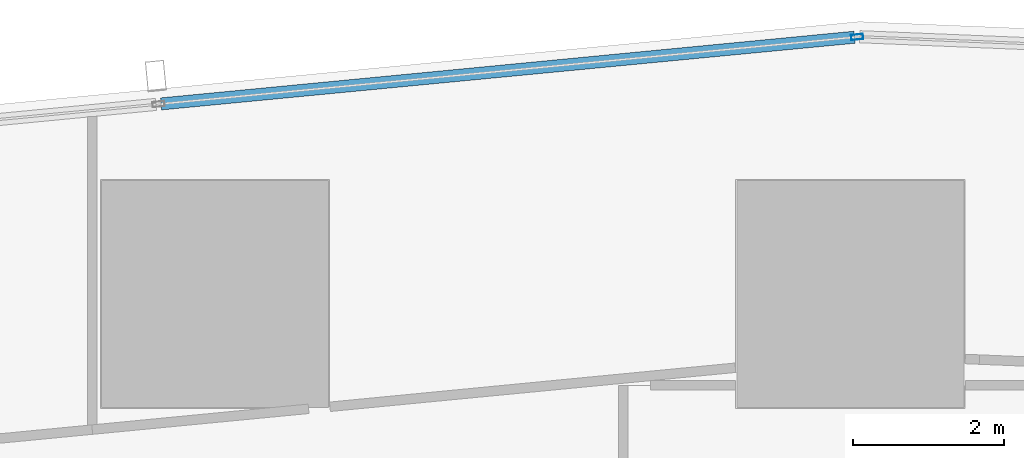
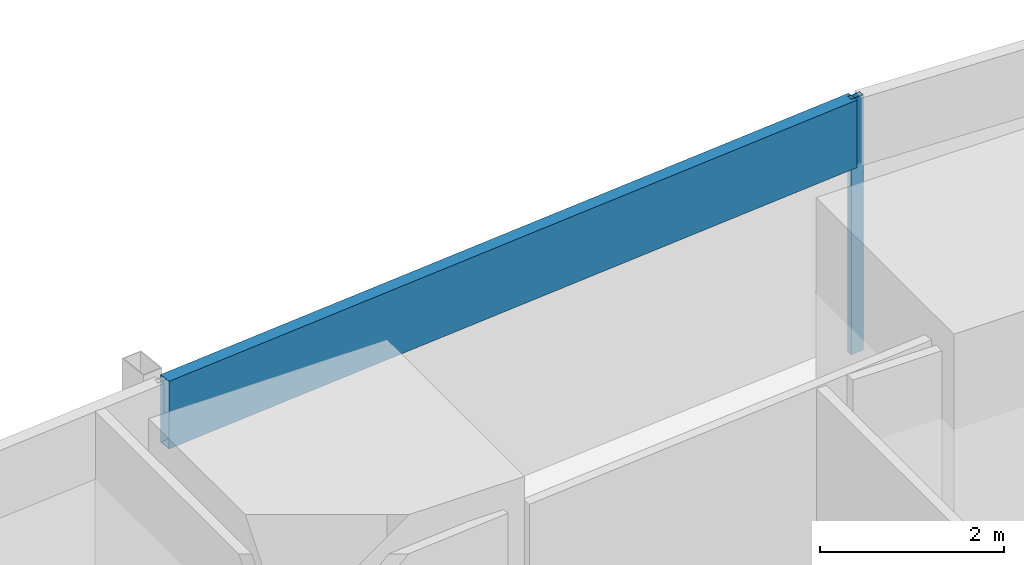
# One storey, part 17 of 44: 2 members, 1 element without a shape of its own.
"""IFC4 building model written with IfcOpenShell, lengths in metres."""

from ifc_helpers import new_model, si_unit, direction, frame, origin, origin_2d, place, context, subcontext, project, spatial, hollow_rectangle, extrude, material, material_profile, profile_set, type_object, element, aggregate, save


model = new_model("IFC4")

# Units and contexts
model_context = context("Model", 3, precision=1e-05, world=origin(), true_north=direction((0.0, 1.0)))
body_context = subcontext(model_context, "Body", "Model", "MODEL_VIEW")
ifc_project = project(units=[si_unit("LENGTHUNIT", "METRE"), si_unit("AREAUNIT", "SQUARE_METRE"), si_unit("VOLUMEUNIT", "CUBIC_METRE"), si_unit("PLANEANGLEUNIT", "RADIAN"), si_unit("MASSUNIT", "GRAM", prefix="KILO")], contexts=[model_context])

# Site, building, storey
site_placement = place(None, origin())
site = spatial("IfcSite", under=ifc_project, at=site_placement, CompositionType="ELEMENT")
building_placement = place(site_placement, origin())
building = spatial("IfcBuilding", under=site, at=building_placement, Name="Rekha Terrace Tower", CompositionType="ELEMENT")
storey_placement = place(building_placement, frame((0.0, 0.0, 81.64990234375)))
storey = spatial("IfcBuildingStorey", under=building, at=storey_placement, Name="L20", CompositionType="ELEMENT", Elevation=81.64990234375)

# Curtain wall, members
ifc_material_1 = material(Name="Aluminium framing", Category="aluminium")
curtain_wall_type = type_object("IfcCurtainWallType", Name="CW3 north unitised glazing", PredefinedType="USERDEFINED", material=ifc_material_1)
curtain_wall_placement = place(storey_placement, origin())
curtain_wall = element("IfcCurtainWall", 1, at=curtain_wall_placement, inside=storey, type_object=curtain_wall_type, Name="CW3 unitised curtain wall", ObjectType="UNITISED CURTAIN WALL", PredefinedType="USERDEFINED")
ifc_material_2 = material(Name="Aluminium mullion section", Category="aluminium")
ifc_material_profile_1 = material_profile(ifc_material_2, hollow_rectangle(XDim=0.070068359375, YDim=0.159912109375, WallThickness=0.00390625, at=origin_2d()), Name="AL RHS 70x160")
ifc_profile_set_1 = profile_set([ifc_material_profile_1], Name="Aluminium mullion section")
member_type_1 = type_object("IfcMemberType", Name="CW3 mullion RHS 70 x 160", PredefinedType="MULLION", material=ifc_profile_set_1)
member_1_placement = place(storey_placement, frame((25.29052734375, 62.1962890625, 0.0), z_axis=(0.0, 0.0, 1.0), x_axis=(0.095712406625, -0.995409029102, 0.0)))
member_1 = element("IfcMember", 2, at=member_1_placement, type_object=member_type_1, Name="CW3 mullion 1", PredefinedType="MULLION", context=body_context, shape_type="SweptSolid", body=[
    extrude(hollow_rectangle(XDim=0.070068359375, YDim=0.159912109375, WallThickness=0.00390625, at=origin_2d()), origin(), (0.0, 0.0, 1.0), 3.400146484375),
])
ifc_material_3 = material(Name="Insulated aluminium spandrel box", Category="aluminium")
ifc_material_profile_2 = material_profile(ifc_material_3, hollow_rectangle(XDim=0.159912109375, YDim=0.89990234375, WallThickness=0.0029296875, at=origin_2d()), Name="AL SPANDREL BOX 160x900")
ifc_profile_set_2 = profile_set([ifc_material_profile_2], Name="Insulated aluminium spandrel box")
member_type_2 = type_object("IfcMemberType", Name="CW3 spandrel transom 160 x 900", PredefinedType="USERDEFINED", material=ifc_profile_set_2)
member_2_placement = place(storey_placement, frame((25.255859375, 62.19287109375, 2.9501953125), z_axis=(-0.995408446287, -0.095718467713, 0.0), x_axis=(0.095718467713, -0.995408446287, 0.0)))
member_2 = element("IfcMember", 3, at=member_2_placement, type_object=member_type_2, Name="CW3 spandrel transom 1", ObjectType="TRANSOM", PredefinedType="USERDEFINED", context=body_context, shape_type="SweptSolid", body=[
    extrude(hollow_rectangle(XDim=0.159912109375, YDim=0.89990234375, WallThickness=0.0029296875, at=origin_2d()), origin(), (0.0, 0.0, 1.0), 9.210205078125),
])
aggregate(curtain_wall, [member_1, member_2])

save(model, "model.ifc")
